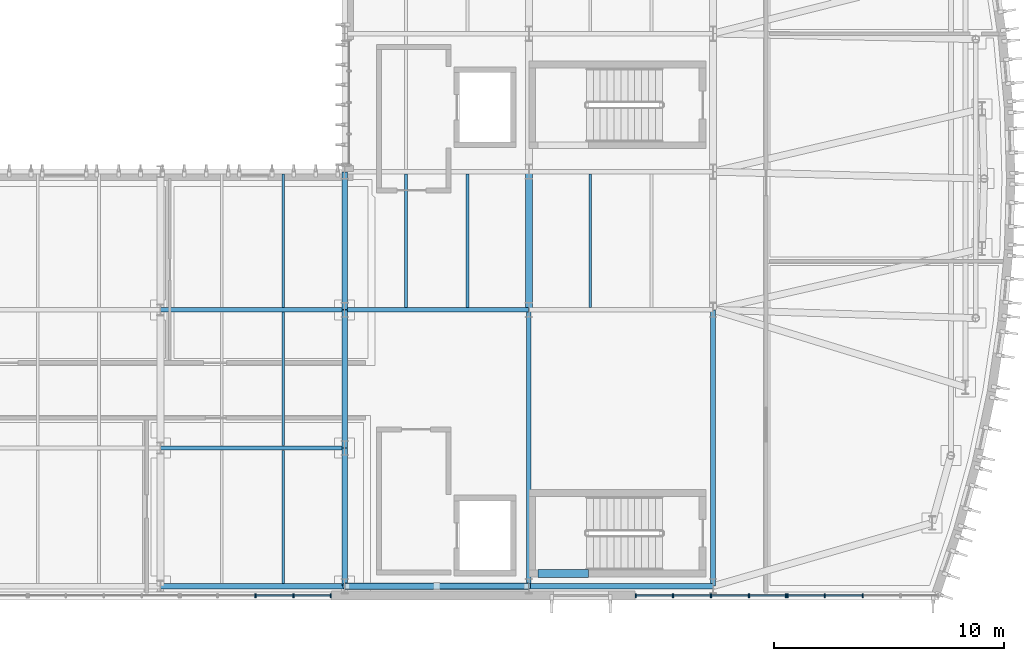
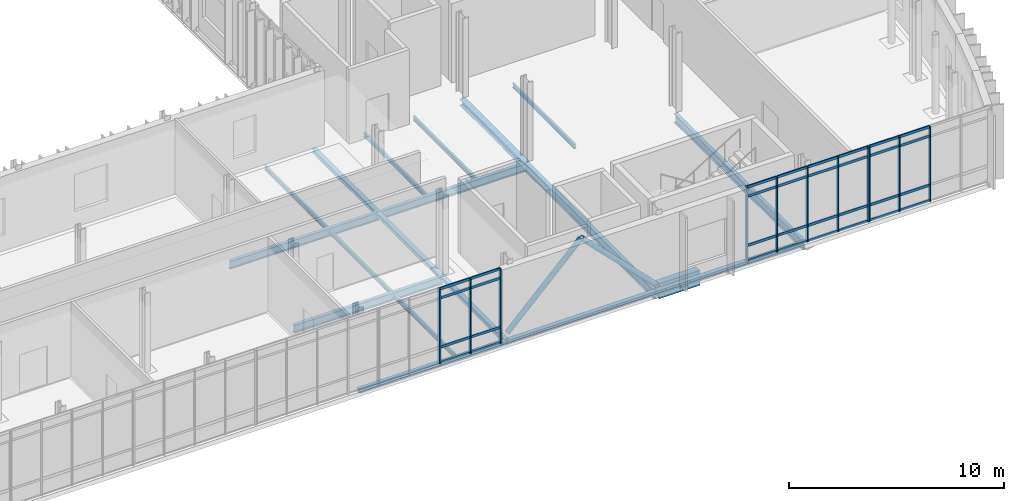
# One storey, part 41 of 100: 45 members, 19 beams, 3 elements without a shape of their own.
"""IFC4 building model written with IfcOpenShell, lengths in metres."""

from ifc_helpers import new_model, si_unit, direction, frame, origin, origin_2d, place, context, subcontext, project, spatial, rectangle, hollow_circle, i_section, extrude, material, material_profile, profile_set, type_object, element, aggregate, save


model = new_model("IFC4")

# Units and contexts
model_context = context("Model", 3, precision=1e-05, world=origin(), true_north=direction((0.0, 1.0)))
body_context = subcontext(model_context, "Body", "Model", "MODEL_VIEW")
ifc_project = project(units=[si_unit("LENGTHUNIT", "METRE"), si_unit("AREAUNIT", "SQUARE_METRE"), si_unit("VOLUMEUNIT", "CUBIC_METRE"), si_unit("PLANEANGLEUNIT", "RADIAN"), si_unit("MASSUNIT", "GRAM", prefix="KILO")], contexts=[model_context])

# Site, building, storey
site_placement = place(None, origin())
site = spatial("IfcSite", under=ifc_project, at=site_placement, CompositionType="ELEMENT")
building_placement = place(site_placement, origin())
building = spatial("IfcBuilding", under=site, at=building_placement, Name="Cymarion Research Institute", CompositionType="ELEMENT")
storey_placement = place(building_placement, frame((0.0, 0.0, 4.800048828125)))
storey = spatial("IfcBuildingStorey", under=building, at=storey_placement, Name="L01", CompositionType="ELEMENT", Elevation=4.800048828125)

# Beam
ifc_material_1 = material(Name="Concrete C40/50", Category="concrete")
ifc_material_profile_1 = material_profile(ifc_material_1, rectangle(XDim=0.35009765625, YDim=0.85009765625, at=origin_2d()), Name="RC 350x850")
ifc_profile_set_1 = profile_set([ifc_material_profile_1], Name="Concrete C40/50")
beam_type_1 = type_object("IfcBeamType", Name="COUPLING LINTEL LN02 RC 350x850", PredefinedType="LINTEL", material=ifc_profile_set_1)
beam_1_placement = place(storey_placement, frame((147.0, 6.050048828125, -0.695068359375), z_axis=(1.0, 0.0, 0.0), x_axis=(0.0, 1.0, 0.0)))
element("IfcBeam", 1, at=beam_1_placement, inside=storey, type_object=beam_type_1, Name="L01 C1 core coupling lintel LN02", PredefinedType="LINTEL", context=body_context, shape_type="SweptSolid", body=[
    extrude(rectangle(XDim=0.35009765625, YDim=0.85009765625, at=origin_2d()), origin(), (0.0, 0.0, 1.0), 2.199951171875),
])

# Curtain wall, members
ifc_material_2 = material(Name="Anodised aluminium unitised curtain wall with Low-E glazing", Category="aluminium")
curtain_wall_type = type_object("IfcCurtainWallType", Name="UNITISED CURTAIN WALL CW01 6590X4250", PredefinedType="NOTDEFINED", material=ifc_material_2)
curtain_wall_1_placement = place(storey_placement, origin())
curtain_wall_1 = element("IfcCurtainWall", 2, at=curtain_wall_1_placement, inside=storey, type_object=curtain_wall_type, Name="L01 V1 unitised curtain wall CW01 #5", PredefinedType="NOTDEFINED")
ifc_material_3 = material(Name="Anodised aluminium framing", Category="aluminium")
ifc_material_profile_2 = material_profile(ifc_material_3, rectangle(XDim=0.06005859375, YDim=0.179931640625, at=origin_2d()), Name="ALU MULLION 60x180")
ifc_profile_set_2 = profile_set([ifc_material_profile_2], Name="Anodised aluminium framing")
member_type_1 = type_object("IfcMemberType", Name="CURTAIN WALL MULLION ML01 60X180", PredefinedType="MULLION", material=ifc_profile_set_2)
member_1_placement = place(storey_placement, frame((134.73095703125, 5.090087890625, 0.0), z_axis=(0.0, 0.0, 1.0), x_axis=(1.0, 0.0, 0.0)))
member_1 = element("IfcMember", 3, at=member_1_placement, type_object=member_type_1, Name="CW01 mullion 3", PredefinedType="MULLION", context=body_context, shape_type="SweptSolid", body=[
    extrude(rectangle(XDim=0.06005859375, YDim=0.179931640625, at=origin_2d()), origin(), (0.0, 0.0, 1.0), 4.25),
])
member_2_placement = place(storey_placement, frame((136.37939453125, 5.090087890625, 0.0), z_axis=(0.0, 0.0, 1.0), x_axis=(1.0, 0.0, 0.0)))
member_2 = element("IfcMember", 4, at=member_2_placement, type_object=member_type_1, Name="CW01 mullion 4", PredefinedType="MULLION", context=body_context, shape_type="SweptSolid", body=[
    extrude(rectangle(XDim=0.06005859375, YDim=0.179931640625, at=origin_2d()), origin(), (0.0, 0.0, 1.0), 4.25),
])
member_3_placement = place(storey_placement, frame((137.99755859375, 5.090087890625, 0.0), z_axis=(0.0, 0.0, 1.0), x_axis=(1.0, 0.0, 0.0)))
member_3 = element("IfcMember", 5, at=member_3_placement, type_object=member_type_1, Name="CW01 mullion 5", PredefinedType="MULLION", context=body_context, shape_type="SweptSolid", body=[
    extrude(rectangle(XDim=0.06005859375, YDim=0.179931640625, at=origin_2d()), origin(), (0.0, 0.0, 1.0), 4.25),
])

curtain_wall_2_placement = place(storey_placement, origin())
curtain_wall_2 = element("IfcCurtainWall", 6, at=curtain_wall_2_placement, inside=storey, type_object=curtain_wall_type, Name="L01 V1 unitised curtain wall CW01 #6", PredefinedType="NOTDEFINED")
member_4_placement = place(storey_placement, frame((151.243896484375, 5.090087890625, 0.0), z_axis=(0.0, 0.0, 1.0), x_axis=(1.0, 0.0, 0.0)))
member_4 = element("IfcMember", 7, at=member_4_placement, type_object=member_type_1, Name="CW01 mullion 1", PredefinedType="MULLION", context=body_context, shape_type="SweptSolid", body=[
    extrude(rectangle(XDim=0.06005859375, YDim=0.179931640625, at=origin_2d()), origin(), (0.0, 0.0, 1.0), 4.25),
])
member_5_placement = place(storey_placement, frame((152.862060546875, 5.090087890625, 0.0), z_axis=(0.0, 0.0, 1.0), x_axis=(1.0, 0.0, 0.0)))
member_5 = element("IfcMember", 8, at=member_5_placement, type_object=member_type_1, Name="CW01 mullion 2", PredefinedType="MULLION", context=body_context, shape_type="SweptSolid", body=[
    extrude(rectangle(XDim=0.06005859375, YDim=0.179931640625, at=origin_2d()), origin(), (0.0, 0.0, 1.0), 4.25),
])
member_6_placement = place(storey_placement, frame((154.51025390625, 5.090087890625, 0.0), z_axis=(0.0, 0.0, 1.0), x_axis=(1.0, 0.0, 0.0)))
member_6 = element("IfcMember", 9, at=member_6_placement, type_object=member_type_1, Name="CW01 mullion 3", PredefinedType="MULLION", context=body_context, shape_type="SweptSolid", body=[
    extrude(rectangle(XDim=0.06005859375, YDim=0.179931640625, at=origin_2d()), origin(), (0.0, 0.0, 1.0), 4.25),
])
member_7_placement = place(storey_placement, frame((156.15869140625, 5.090087890625, 0.0), z_axis=(0.0, 0.0, 1.0), x_axis=(1.0, 0.0, 0.0)))
member_7 = element("IfcMember", 10, at=member_7_placement, type_object=member_type_1, Name="CW01 mullion 4", PredefinedType="MULLION", context=body_context, shape_type="SweptSolid", body=[
    extrude(rectangle(XDim=0.06005859375, YDim=0.179931640625, at=origin_2d()), origin(), (0.0, 0.0, 1.0), 4.25),
])
member_8_placement = place(storey_placement, frame((157.77685546875, 5.090087890625, 0.0), z_axis=(0.0, 0.0, 1.0), x_axis=(1.0, 0.0, 0.0)))
member_8 = element("IfcMember", 11, at=member_8_placement, type_object=member_type_1, Name="CW01 mullion 5", PredefinedType="MULLION", context=body_context, shape_type="SweptSolid", body=[
    extrude(rectangle(XDim=0.06005859375, YDim=0.179931640625, at=origin_2d()), origin(), (0.0, 0.0, 1.0), 4.25),
])

curtain_wall_3_placement = place(storey_placement, origin())
curtain_wall_3 = element("IfcCurtainWall", 12, at=curtain_wall_3_placement, inside=storey, type_object=curtain_wall_type, Name="L01 V1 unitised curtain wall CW01 #7", PredefinedType="NOTDEFINED")
member_9_placement = place(storey_placement, frame((157.8369140625, 5.090087890625, 0.0), z_axis=(0.0, 0.0, 1.0), x_axis=(1.0, 0.0, 0.0)))
member_9 = element("IfcMember", 13, at=member_9_placement, type_object=member_type_1, Name="CW01 mullion 1", PredefinedType="MULLION", context=body_context, shape_type="SweptSolid", body=[
    extrude(rectangle(XDim=0.06005859375, YDim=0.179931640625, at=origin_2d()), origin(), (0.0, 0.0, 1.0), 4.25),
])
member_10_placement = place(storey_placement, frame((159.455078125, 5.090087890625, 0.0), z_axis=(0.0, 0.0, 1.0), x_axis=(1.0, 0.0, 0.0)))
member_10 = element("IfcMember", 14, at=member_10_placement, type_object=member_type_1, Name="CW01 mullion 2", PredefinedType="MULLION", context=body_context, shape_type="SweptSolid", body=[
    extrude(rectangle(XDim=0.06005859375, YDim=0.179931640625, at=origin_2d()), origin(), (0.0, 0.0, 1.0), 4.25),
])
member_11_placement = place(storey_placement, frame((161.103515625, 5.090087890625, 0.0), z_axis=(0.0, 0.0, 1.0), x_axis=(1.0, 0.0, 0.0)))
member_11 = element("IfcMember", 15, at=member_11_placement, type_object=member_type_1, Name="CW01 mullion 3", PredefinedType="MULLION", context=body_context, shape_type="SweptSolid", body=[
    extrude(rectangle(XDim=0.06005859375, YDim=0.179931640625, at=origin_2d()), origin(), (0.0, 0.0, 1.0), 4.25),
])

# Member
ifc_material_profile_3 = material_profile(ifc_material_3, rectangle(XDim=0.06005859375, YDim=0.14990234375, at=origin_2d()), Name="ALU TRANSOM 60x150")
ifc_profile_set_3 = profile_set([ifc_material_profile_3], Name="Anodised aluminium framing")
member_type_2 = type_object("IfcMemberType", Name="CURTAIN WALL TRANSOM TR01 60X150", PredefinedType="USERDEFINED", material=ifc_profile_set_3)
member_12_placement = place(storey_placement, frame((134.760986328125, 5.090087890625, 0.030029296875), z_axis=(1.0, 0.0, 0.0), x_axis=(0.0, 1.0, 0.0)))
member_12 = element("IfcMember", 16, at=member_12_placement, type_object=member_type_2, Name="CW01 transom 3.1", ObjectType="TRANSOM", PredefinedType="USERDEFINED", context=body_context, shape_type="SweptSolid", body=[
    extrude(rectangle(XDim=0.06005859375, YDim=0.14990234375, at=origin_2d()), origin(), (0.0, 0.0, 1.0), 1.58837890625),
])

member_13_placement = place(storey_placement, frame((134.760986328125, 5.090087890625, 0.89990234375), z_axis=(1.0, 0.0, 0.0), x_axis=(0.0, 1.0, 0.0)))
member_13 = element("IfcMember", 17, at=member_13_placement, type_object=member_type_2, Name="CW01 transom 3.2", ObjectType="TRANSOM", PredefinedType="USERDEFINED", context=body_context, shape_type="SweptSolid", body=[
    extrude(rectangle(XDim=0.06005859375, YDim=0.14990234375, at=origin_2d()), origin(), (0.0, 0.0, 1.0), 1.58837890625),
])

member_14_placement = place(storey_placement, frame((134.760986328125, 5.090087890625, 3.699951171875), z_axis=(1.0, 0.0, 0.0), x_axis=(0.0, 1.0, 0.0)))
member_14 = element("IfcMember", 18, at=member_14_placement, type_object=member_type_2, Name="CW01 transom 3.3", ObjectType="TRANSOM", PredefinedType="USERDEFINED", context=body_context, shape_type="SweptSolid", body=[
    extrude(rectangle(XDim=0.06005859375, YDim=0.14990234375, at=origin_2d()), origin(), (0.0, 0.0, 1.0), 1.58837890625),
])

member_15_placement = place(storey_placement, frame((134.760986328125, 5.090087890625, 4.219970703125), z_axis=(1.0, 0.0, 0.0), x_axis=(0.0, 1.0, 0.0)))
member_15 = element("IfcMember", 19, at=member_15_placement, type_object=member_type_2, Name="CW01 transom 3.4", ObjectType="TRANSOM", PredefinedType="USERDEFINED", context=body_context, shape_type="SweptSolid", body=[
    extrude(rectangle(XDim=0.06005859375, YDim=0.14990234375, at=origin_2d()), origin(), (0.0, 0.0, 1.0), 1.58837890625),
])

member_16_placement = place(storey_placement, frame((136.4091796875, 5.090087890625, 0.030029296875), z_axis=(1.0, 0.0, 0.0), x_axis=(0.0, 1.0, 0.0)))
member_16 = element("IfcMember", 20, at=member_16_placement, type_object=member_type_2, Name="CW01 transom 4.1", ObjectType="TRANSOM", PredefinedType="USERDEFINED", context=body_context, shape_type="SweptSolid", body=[
    extrude(rectangle(XDim=0.06005859375, YDim=0.14990234375, at=origin_2d()), origin(), (0.0, 0.0, 1.0), 1.558349609375),
])

member_17_placement = place(storey_placement, frame((136.4091796875, 5.090087890625, 0.89990234375), z_axis=(1.0, 0.0, 0.0), x_axis=(0.0, 1.0, 0.0)))
member_17 = element("IfcMember", 21, at=member_17_placement, type_object=member_type_2, Name="CW01 transom 4.2", ObjectType="TRANSOM", PredefinedType="USERDEFINED", context=body_context, shape_type="SweptSolid", body=[
    extrude(rectangle(XDim=0.06005859375, YDim=0.14990234375, at=origin_2d()), origin(), (0.0, 0.0, 1.0), 1.558349609375),
])

member_18_placement = place(storey_placement, frame((136.4091796875, 5.090087890625, 3.699951171875), z_axis=(1.0, 0.0, 0.0), x_axis=(0.0, 1.0, 0.0)))
member_18 = element("IfcMember", 22, at=member_18_placement, type_object=member_type_2, Name="CW01 transom 4.3", ObjectType="TRANSOM", PredefinedType="USERDEFINED", context=body_context, shape_type="SweptSolid", body=[
    extrude(rectangle(XDim=0.06005859375, YDim=0.14990234375, at=origin_2d()), origin(), (0.0, 0.0, 1.0), 1.558349609375),
])

member_19_placement = place(storey_placement, frame((136.4091796875, 5.090087890625, 4.219970703125), z_axis=(1.0, 0.0, 0.0), x_axis=(0.0, 1.0, 0.0)))
member_19 = element("IfcMember", 23, at=member_19_placement, type_object=member_type_2, Name="CW01 transom 4.4", ObjectType="TRANSOM", PredefinedType="USERDEFINED", context=body_context, shape_type="SweptSolid", body=[
    extrude(rectangle(XDim=0.06005859375, YDim=0.14990234375, at=origin_2d()), origin(), (0.0, 0.0, 1.0), 1.558349609375),
])

aggregate(curtain_wall_1, [member_1, member_2, member_3, member_12, member_13, member_14, member_15, member_16, member_17, member_18, member_19])

member_20_placement = place(storey_placement, frame((151.273681640625, 5.090087890625, 0.030029296875), z_axis=(1.0, 0.0, 0.0), x_axis=(0.0, 1.0, 0.0)))
member_20 = element("IfcMember", 24, at=member_20_placement, type_object=member_type_2, Name="CW01 transom 1.1", ObjectType="TRANSOM", PredefinedType="USERDEFINED", context=body_context, shape_type="SweptSolid", body=[
    extrude(rectangle(XDim=0.06005859375, YDim=0.14990234375, at=origin_2d()), origin(), (0.0, 0.0, 1.0), 1.558349609375),
])

member_21_placement = place(storey_placement, frame((151.273681640625, 5.090087890625, 0.89990234375), z_axis=(1.0, 0.0, 0.0), x_axis=(0.0, 1.0, 0.0)))
member_21 = element("IfcMember", 25, at=member_21_placement, type_object=member_type_2, Name="CW01 transom 1.2", ObjectType="TRANSOM", PredefinedType="USERDEFINED", context=body_context, shape_type="SweptSolid", body=[
    extrude(rectangle(XDim=0.06005859375, YDim=0.14990234375, at=origin_2d()), origin(), (0.0, 0.0, 1.0), 1.558349609375),
])

member_22_placement = place(storey_placement, frame((151.273681640625, 5.090087890625, 3.699951171875), z_axis=(1.0, 0.0, 0.0), x_axis=(0.0, 1.0, 0.0)))
member_22 = element("IfcMember", 26, at=member_22_placement, type_object=member_type_2, Name="CW01 transom 1.3", ObjectType="TRANSOM", PredefinedType="USERDEFINED", context=body_context, shape_type="SweptSolid", body=[
    extrude(rectangle(XDim=0.06005859375, YDim=0.14990234375, at=origin_2d()), origin(), (0.0, 0.0, 1.0), 1.558349609375),
])

member_23_placement = place(storey_placement, frame((151.273681640625, 5.090087890625, 4.219970703125), z_axis=(1.0, 0.0, 0.0), x_axis=(0.0, 1.0, 0.0)))
member_23 = element("IfcMember", 27, at=member_23_placement, type_object=member_type_2, Name="CW01 transom 1.4", ObjectType="TRANSOM", PredefinedType="USERDEFINED", context=body_context, shape_type="SweptSolid", body=[
    extrude(rectangle(XDim=0.06005859375, YDim=0.14990234375, at=origin_2d()), origin(), (0.0, 0.0, 1.0), 1.558349609375),
])

member_24_placement = place(storey_placement, frame((152.89208984375, 5.090087890625, 0.030029296875), z_axis=(1.0, 0.0, 0.0), x_axis=(0.0, 1.0, 0.0)))
member_24 = element("IfcMember", 28, at=member_24_placement, type_object=member_type_2, Name="CW01 transom 2.1", ObjectType="TRANSOM", PredefinedType="USERDEFINED", context=body_context, shape_type="SweptSolid", body=[
    extrude(rectangle(XDim=0.06005859375, YDim=0.14990234375, at=origin_2d()), origin(), (0.0, 0.0, 1.0), 1.58837890625),
])

member_25_placement = place(storey_placement, frame((152.89208984375, 5.090087890625, 0.89990234375), z_axis=(1.0, 0.0, 0.0), x_axis=(0.0, 1.0, 0.0)))
member_25 = element("IfcMember", 29, at=member_25_placement, type_object=member_type_2, Name="CW01 transom 2.2", ObjectType="TRANSOM", PredefinedType="USERDEFINED", context=body_context, shape_type="SweptSolid", body=[
    extrude(rectangle(XDim=0.06005859375, YDim=0.14990234375, at=origin_2d()), origin(), (0.0, 0.0, 1.0), 1.58837890625),
])

member_26_placement = place(storey_placement, frame((152.89208984375, 5.090087890625, 3.699951171875), z_axis=(1.0, 0.0, 0.0), x_axis=(0.0, 1.0, 0.0)))
member_26 = element("IfcMember", 30, at=member_26_placement, type_object=member_type_2, Name="CW01 transom 2.3", ObjectType="TRANSOM", PredefinedType="USERDEFINED", context=body_context, shape_type="SweptSolid", body=[
    extrude(rectangle(XDim=0.06005859375, YDim=0.14990234375, at=origin_2d()), origin(), (0.0, 0.0, 1.0), 1.58837890625),
])

member_27_placement = place(storey_placement, frame((152.89208984375, 5.090087890625, 4.219970703125), z_axis=(1.0, 0.0, 0.0), x_axis=(0.0, 1.0, 0.0)))
member_27 = element("IfcMember", 31, at=member_27_placement, type_object=member_type_2, Name="CW01 transom 2.4", ObjectType="TRANSOM", PredefinedType="USERDEFINED", context=body_context, shape_type="SweptSolid", body=[
    extrude(rectangle(XDim=0.06005859375, YDim=0.14990234375, at=origin_2d()), origin(), (0.0, 0.0, 1.0), 1.58837890625),
])

member_28_placement = place(storey_placement, frame((154.540283203125, 5.090087890625, 0.030029296875), z_axis=(1.0, 0.0, 0.0), x_axis=(0.0, 1.0, 0.0)))
member_28 = element("IfcMember", 32, at=member_28_placement, type_object=member_type_2, Name="CW01 transom 3.1", ObjectType="TRANSOM", PredefinedType="USERDEFINED", context=body_context, shape_type="SweptSolid", body=[
    extrude(rectangle(XDim=0.06005859375, YDim=0.14990234375, at=origin_2d()), origin(), (0.0, 0.0, 1.0), 1.58837890625),
])

member_29_placement = place(storey_placement, frame((154.540283203125, 5.090087890625, 0.89990234375), z_axis=(1.0, 0.0, 0.0), x_axis=(0.0, 1.0, 0.0)))
member_29 = element("IfcMember", 33, at=member_29_placement, type_object=member_type_2, Name="CW01 transom 3.2", ObjectType="TRANSOM", PredefinedType="USERDEFINED", context=body_context, shape_type="SweptSolid", body=[
    extrude(rectangle(XDim=0.06005859375, YDim=0.14990234375, at=origin_2d()), origin(), (0.0, 0.0, 1.0), 1.58837890625),
])

member_30_placement = place(storey_placement, frame((154.540283203125, 5.090087890625, 3.699951171875), z_axis=(1.0, 0.0, 0.0), x_axis=(0.0, 1.0, 0.0)))
member_30 = element("IfcMember", 34, at=member_30_placement, type_object=member_type_2, Name="CW01 transom 3.3", ObjectType="TRANSOM", PredefinedType="USERDEFINED", context=body_context, shape_type="SweptSolid", body=[
    extrude(rectangle(XDim=0.06005859375, YDim=0.14990234375, at=origin_2d()), origin(), (0.0, 0.0, 1.0), 1.58837890625),
])

member_31_placement = place(storey_placement, frame((154.540283203125, 5.090087890625, 4.219970703125), z_axis=(1.0, 0.0, 0.0), x_axis=(0.0, 1.0, 0.0)))
member_31 = element("IfcMember", 35, at=member_31_placement, type_object=member_type_2, Name="CW01 transom 3.4", ObjectType="TRANSOM", PredefinedType="USERDEFINED", context=body_context, shape_type="SweptSolid", body=[
    extrude(rectangle(XDim=0.06005859375, YDim=0.14990234375, at=origin_2d()), origin(), (0.0, 0.0, 1.0), 1.58837890625),
])

member_32_placement = place(storey_placement, frame((156.188720703125, 5.090087890625, 0.030029296875), z_axis=(1.0, 0.0, 0.0), x_axis=(0.0, 1.0, 0.0)))
member_32 = element("IfcMember", 36, at=member_32_placement, type_object=member_type_2, Name="CW01 transom 4.1", ObjectType="TRANSOM", PredefinedType="USERDEFINED", context=body_context, shape_type="SweptSolid", body=[
    extrude(rectangle(XDim=0.06005859375, YDim=0.14990234375, at=origin_2d()), origin(), (0.0, 0.0, 1.0), 1.55810546875),
])

member_33_placement = place(storey_placement, frame((156.188720703125, 5.090087890625, 0.89990234375), z_axis=(1.0, 0.0, 0.0), x_axis=(0.0, 1.0, 0.0)))
member_33 = element("IfcMember", 37, at=member_33_placement, type_object=member_type_2, Name="CW01 transom 4.2", ObjectType="TRANSOM", PredefinedType="USERDEFINED", context=body_context, shape_type="SweptSolid", body=[
    extrude(rectangle(XDim=0.06005859375, YDim=0.14990234375, at=origin_2d()), origin(), (0.0, 0.0, 1.0), 1.55810546875),
])

member_34_placement = place(storey_placement, frame((156.188720703125, 5.090087890625, 3.699951171875), z_axis=(1.0, 0.0, 0.0), x_axis=(0.0, 1.0, 0.0)))
member_34 = element("IfcMember", 38, at=member_34_placement, type_object=member_type_2, Name="CW01 transom 4.3", ObjectType="TRANSOM", PredefinedType="USERDEFINED", context=body_context, shape_type="SweptSolid", body=[
    extrude(rectangle(XDim=0.06005859375, YDim=0.14990234375, at=origin_2d()), origin(), (0.0, 0.0, 1.0), 1.55810546875),
])

member_35_placement = place(storey_placement, frame((156.188720703125, 5.090087890625, 4.219970703125), z_axis=(1.0, 0.0, 0.0), x_axis=(0.0, 1.0, 0.0)))
member_35 = element("IfcMember", 39, at=member_35_placement, type_object=member_type_2, Name="CW01 transom 4.4", ObjectType="TRANSOM", PredefinedType="USERDEFINED", context=body_context, shape_type="SweptSolid", body=[
    extrude(rectangle(XDim=0.06005859375, YDim=0.14990234375, at=origin_2d()), origin(), (0.0, 0.0, 1.0), 1.55810546875),
])

aggregate(curtain_wall_2, [member_4, member_5, member_6, member_7, member_8, member_20, member_21, member_22, member_23, member_24, member_25, member_26, member_27, member_28, member_29, member_30, member_31, member_32, member_33, member_34, member_35])

member_36_placement = place(storey_placement, frame((157.866943359375, 5.090087890625, 0.030029296875), z_axis=(1.0, 0.0, 0.0), x_axis=(0.0, 1.0, 0.0)))
member_36 = element("IfcMember", 40, at=member_36_placement, type_object=member_type_2, Name="CW01 transom 1.1", ObjectType="TRANSOM", PredefinedType="USERDEFINED", context=body_context, shape_type="SweptSolid", body=[
    extrude(rectangle(XDim=0.06005859375, YDim=0.14990234375, at=origin_2d()), origin(), (0.0, 0.0, 1.0), 1.558349609375),
])

member_37_placement = place(storey_placement, frame((157.866943359375, 5.090087890625, 0.89990234375), z_axis=(1.0, 0.0, 0.0), x_axis=(0.0, 1.0, 0.0)))
member_37 = element("IfcMember", 41, at=member_37_placement, type_object=member_type_2, Name="CW01 transom 1.2", ObjectType="TRANSOM", PredefinedType="USERDEFINED", context=body_context, shape_type="SweptSolid", body=[
    extrude(rectangle(XDim=0.06005859375, YDim=0.14990234375, at=origin_2d()), origin(), (0.0, 0.0, 1.0), 1.558349609375),
])

member_38_placement = place(storey_placement, frame((157.866943359375, 5.090087890625, 3.699951171875), z_axis=(1.0, 0.0, 0.0), x_axis=(0.0, 1.0, 0.0)))
member_38 = element("IfcMember", 42, at=member_38_placement, type_object=member_type_2, Name="CW01 transom 1.3", ObjectType="TRANSOM", PredefinedType="USERDEFINED", context=body_context, shape_type="SweptSolid", body=[
    extrude(rectangle(XDim=0.06005859375, YDim=0.14990234375, at=origin_2d()), origin(), (0.0, 0.0, 1.0), 1.558349609375),
])

member_39_placement = place(storey_placement, frame((157.866943359375, 5.090087890625, 4.219970703125), z_axis=(1.0, 0.0, 0.0), x_axis=(0.0, 1.0, 0.0)))
member_39 = element("IfcMember", 43, at=member_39_placement, type_object=member_type_2, Name="CW01 transom 1.4", ObjectType="TRANSOM", PredefinedType="USERDEFINED", context=body_context, shape_type="SweptSolid", body=[
    extrude(rectangle(XDim=0.06005859375, YDim=0.14990234375, at=origin_2d()), origin(), (0.0, 0.0, 1.0), 1.558349609375),
])

member_40_placement = place(storey_placement, frame((159.485107421875, 5.090087890625, 0.030029296875), z_axis=(1.0, 0.0, 0.0), x_axis=(0.0, 1.0, 0.0)))
member_40 = element("IfcMember", 44, at=member_40_placement, type_object=member_type_2, Name="CW01 transom 2.1", ObjectType="TRANSOM", PredefinedType="USERDEFINED", context=body_context, shape_type="SweptSolid", body=[
    extrude(rectangle(XDim=0.06005859375, YDim=0.14990234375, at=origin_2d()), origin(), (0.0, 0.0, 1.0), 1.58837890625),
])

member_41_placement = place(storey_placement, frame((159.485107421875, 5.090087890625, 0.89990234375), z_axis=(1.0, 0.0, 0.0), x_axis=(0.0, 1.0, 0.0)))
member_41 = element("IfcMember", 45, at=member_41_placement, type_object=member_type_2, Name="CW01 transom 2.2", ObjectType="TRANSOM", PredefinedType="USERDEFINED", context=body_context, shape_type="SweptSolid", body=[
    extrude(rectangle(XDim=0.06005859375, YDim=0.14990234375, at=origin_2d()), origin(), (0.0, 0.0, 1.0), 1.58837890625),
])

member_42_placement = place(storey_placement, frame((159.485107421875, 5.090087890625, 3.699951171875), z_axis=(1.0, 0.0, 0.0), x_axis=(0.0, 1.0, 0.0)))
member_42 = element("IfcMember", 46, at=member_42_placement, type_object=member_type_2, Name="CW01 transom 2.3", ObjectType="TRANSOM", PredefinedType="USERDEFINED", context=body_context, shape_type="SweptSolid", body=[
    extrude(rectangle(XDim=0.06005859375, YDim=0.14990234375, at=origin_2d()), origin(), (0.0, 0.0, 1.0), 1.58837890625),
])

member_43_placement = place(storey_placement, frame((159.485107421875, 5.090087890625, 4.219970703125), z_axis=(1.0, 0.0, 0.0), x_axis=(0.0, 1.0, 0.0)))
member_43 = element("IfcMember", 47, at=member_43_placement, type_object=member_type_2, Name="CW01 transom 2.4", ObjectType="TRANSOM", PredefinedType="USERDEFINED", context=body_context, shape_type="SweptSolid", body=[
    extrude(rectangle(XDim=0.06005859375, YDim=0.14990234375, at=origin_2d()), origin(), (0.0, 0.0, 1.0), 1.58837890625),
])

aggregate(curtain_wall_3, [member_9, member_10, member_11, member_36, member_37, member_38, member_39, member_40, member_41, member_42, member_43])

# Beams
ifc_material_4 = material(Name="Steel S355", Category="steel")
ifc_material_profile_4 = material_profile(ifc_material_4, i_section(OverallWidth=0.199951171875, OverallDepth=0.5, WebThickness=0.01025390625, FlangeThickness=0.01611328125, FilletRadius=0.02099609375, at=origin_2d()), Name="IPE 500")
ifc_profile_set_4 = profile_set([ifc_material_profile_4], Name="Steel S355")
beam_type_2 = type_object("IfcBeamType", Name="PRIMARY GIRDER BM03 IPE 500", PredefinedType="BEAM", material=ifc_profile_set_4)
for number, where, z_axis, x_axis, name in (
    (48, (146.60009765625, 5.506103515625, -0.5), (0.0, 1.0, 0.0), (-1.0, 0.0, 0.0), "L01 V1 girder BM03 #394"),
    (49, (154.60009765625, 5.506103515625, -0.5), (0.0, 1.0, 0.0), (-1.0, 0.0, 0.0), "L01 V1 girder BM03 #399"),
):
    element("IfcBeam", number, at=place(storey_placement, frame(where, z_axis=z_axis, x_axis=x_axis)), inside=storey, type_object=beam_type_2, Name=name, PredefinedType="BEAM", context=body_context, shape_type="SweptSolid", body=[
        extrude(i_section(OverallWidth=0.199951171875, OverallDepth=0.5, WebThickness=0.01025390625, FlangeThickness=0.01611328125, FilletRadius=0.02099609375, at=origin_2d()), origin(), (0.0, 0.0, 1.0), 11.98779296875),
    ])
ifc_material_profile_5 = material_profile(ifc_material_4, i_section(OverallWidth=0.18994140625, OverallDepth=0.449951171875, WebThickness=0.009521484375, FlangeThickness=0.0146484375, FilletRadius=0.02099609375, at=origin_2d()), Name="IPE 450")
ifc_profile_set_5 = profile_set([ifc_material_profile_5], Name="Steel S355")
beam_type_3 = type_object("IfcBeamType", Name="PRIMARY GIRDER BM04 IPE 450", PredefinedType="BEAM", material=ifc_profile_set_5)
for number, where, z_axis, x_axis, name in (
    (50, (130.60595703125, 11.5, -0.47509765625), (1.0, 0.0, 0.0), (0.0, 1.0, 0.0), "L01 V1 girder BM04 #357"),
    (51, (130.60595703125, 17.5, -0.47509765625), (1.0, 0.0, 0.0), (0.0, 1.0, 0.0), "L01 V1 girder BM04 #361"),
    (52, (138.60595703125, 17.5, -0.47509765625), (1.0, 0.0, 0.0), (0.0, 1.0, 0.0), "L01 V1 girder BM04 #362"),
):
    element("IfcBeam", number, at=place(storey_placement, frame(where, z_axis=z_axis, x_axis=x_axis)), inside=storey, type_object=beam_type_3, Name=name, PredefinedType="BEAM", context=body_context, shape_type="SweptSolid", body=[
        extrude(i_section(OverallWidth=0.18994140625, OverallDepth=0.449951171875, WebThickness=0.009521484375, FlangeThickness=0.0146484375, FilletRadius=0.02099609375, at=origin_2d()), origin(), (0.0, 0.0, 1.0), 7.988037109375),
    ])
ifc_material_profile_6 = material_profile(ifc_material_4, i_section(OverallWidth=0.300048828125, OverallDepth=0.35009765625, WebThickness=0.010009765625, FlangeThickness=0.017578125, FilletRadius=0.027099609375, at=origin_2d()), Name="HEA 360")
ifc_profile_set_6 = profile_set([ifc_material_profile_6], Name="Steel S355")
beam_type_4 = type_object("IfcBeamType", Name="PRIMARY GIRDER BM12 HEA 360", PredefinedType="BEAM", material=ifc_profile_set_6)
beam_2_placement = place(storey_placement, frame((146.60009765625, 17.506103515625, -0.425048828125), z_axis=(0.0, 1.0, 0.0), x_axis=(-1.0, 0.0, 0.0)))
element("IfcBeam", 53, at=beam_2_placement, inside=storey, type_object=beam_type_4, Name="L01 V1 girder BM12 #395", PredefinedType="BEAM", context=body_context, shape_type="SweptSolid", body=[
    extrude(i_section(OverallWidth=0.300048828125, OverallDepth=0.35009765625, WebThickness=0.010009765625, FlangeThickness=0.017578125, FilletRadius=0.027099609375, at=origin_2d()), origin(), (0.0, 0.0, 1.0), 5.98779296875),
])
ifc_material_profile_7 = material_profile(ifc_material_4, i_section(OverallWidth=0.1201171875, OverallDepth=0.239990234375, WebThickness=0.006103515625, FlangeThickness=0.009765625, FilletRadius=0.014892578125, at=origin_2d()), Name="IPE 240")
ifc_profile_set_7 = profile_set([ifc_material_profile_7], Name="Steel S355")
beam_type_5 = type_object("IfcBeamType", Name="SECONDARY JOIST JS04 IPE 240", PredefinedType="JOIST", material=ifc_profile_set_7)
beam_3_placement = place(storey_placement, frame((135.933349609375, 5.6240234375, -0.3701171875), z_axis=(0.0, 1.0, 0.0), x_axis=(-1.0, 0.0, 0.0)))
element("IfcBeam", 54, at=beam_3_placement, inside=storey, type_object=beam_type_5, Name="L01 V1 secondary joist JS04 #428", PredefinedType="JOIST", context=body_context, shape_type="SweptSolid", body=[
    extrude(i_section(OverallWidth=0.1201171875, OverallDepth=0.239990234375, WebThickness=0.006103515625, FlangeThickness=0.009765625, FilletRadius=0.014892578125, at=origin_2d()), origin(), (0.0, 0.0, 1.0), 5.77685546875),
])
for number, where, z_axis, x_axis, name in (
    (55, (135.933349609375, 11.59912109375, -0.3701171875), (0.0, 1.0, 0.0), (-1.0, 0.0, 0.0), "L01 V1 secondary joist JS04 #436"),
    (56, (135.933349609375, 17.59912109375, -0.3701171875), (0.0, 1.0, 0.0), (-1.0, 0.0, 0.0), "L01 V1 secondary joist JS04 #444"),
    (57, (141.2666015625, 17.59912109375, -0.3701171875), (0.0, 1.0, 0.0), (-1.0, 0.0, 0.0), "L01 V1 secondary joist JS04 #445"),
    (58, (143.933349609375, 17.59912109375, -0.3701171875), (0.0, 1.0, 0.0), (-1.0, 0.0, 0.0), "L01 V1 secondary joist JS04 #446"),
    (59, (149.2666015625, 17.59912109375, -0.3701171875), (0.0, 1.0, 0.0), (-1.0, 0.0, 0.0), "L01 V1 secondary joist JS04 #447"),
):
    element("IfcBeam", number, at=place(storey_placement, frame(where, z_axis=z_axis, x_axis=x_axis)), inside=storey, type_object=beam_type_5, Name=name, PredefinedType="JOIST", context=body_context, shape_type="SweptSolid", body=[
        extrude(i_section(OverallWidth=0.1201171875, OverallDepth=0.239990234375, WebThickness=0.006103515625, FlangeThickness=0.009765625, FilletRadius=0.014892578125, at=origin_2d()), origin(), (0.0, 0.0, 1.0), 5.8017578125),
    ])
ifc_material_profile_8 = material_profile(ifc_material_4, i_section(OverallWidth=0.239990234375, OverallDepth=0.22998046875, WebThickness=0.007568359375, FlangeThickness=0.011962890625, FilletRadius=0.02099609375, at=origin_2d()), Name="HEA 240")
ifc_profile_set_8 = profile_set([ifc_material_profile_8], Name="Steel S355")
beam_type_6 = type_object("IfcBeamType", Name="SPANDREL BEAM SPB03 HEA 240", PredefinedType="SPANDREL", material=ifc_profile_set_8)
for number, where, z_axis, x_axis, name in (
    (60, (130.60595703125, 5.5, -0.364990234375), (1.0, 0.0, 0.0), (0.0, 1.0, 0.0), "L01 V1 girder SPB03 #351"),
    (61, (138.60595703125, 5.5, -0.364990234375), (1.0, 0.0, 0.0), (0.0, 1.0, 0.0), "L01 V1 girder SPB03 #352"),
    (62, (146.60595703125, 5.5, -0.364990234375), (1.0, 0.0, 0.0), (0.0, 1.0, 0.0), "L01 V1 girder SPB03 #353"),
):
    element("IfcBeam", number, at=place(storey_placement, frame(where, z_axis=z_axis, x_axis=x_axis)), inside=storey, type_object=beam_type_6, Name=name, PredefinedType="SPANDREL", context=body_context, shape_type="SweptSolid", body=[
        extrude(i_section(OverallWidth=0.239990234375, OverallDepth=0.22998046875, WebThickness=0.007568359375, FlangeThickness=0.011962890625, FilletRadius=0.02099609375, at=origin_2d()), origin(), (0.0, 0.0, 1.0), 7.988037109375),
    ])
for number, where, z_axis, x_axis, name in (
    (63, (138.60009765625, 5.506103515625, -0.364990234375), (0.0, 1.0, 0.0), (-1.0, 0.0, 0.0), "L01 V1 girder SPB03 #388"),
    (64, (138.60009765625, 11.506103515625, -0.364990234375), (0.0, 1.0, 0.0), (-1.0, 0.0, 0.0), "L01 V1 girder SPB03 #389"),
    (65, (138.60009765625, 17.506103515625, -0.364990234375), (0.0, 1.0, 0.0), (-1.0, 0.0, 0.0), "L01 V1 girder SPB03 #390"),
):
    element("IfcBeam", number, at=place(storey_placement, frame(where, z_axis=z_axis, x_axis=x_axis)), inside=storey, type_object=beam_type_6, Name=name, PredefinedType="SPANDREL", context=body_context, shape_type="SweptSolid", body=[
        extrude(i_section(OverallWidth=0.239990234375, OverallDepth=0.22998046875, WebThickness=0.007568359375, FlangeThickness=0.011962890625, FilletRadius=0.02099609375, at=origin_2d()), origin(), (0.0, 0.0, 1.0), 5.98779296875),
    ])

# Members
ifc_material_profile_9 = material_profile(ifc_material_4, hollow_circle(Radius=0.136474609375, WallThickness=0.012451171875, at=origin_2d()), Name="CHS 273.0x12.5")
ifc_profile_set_9 = profile_set([ifc_material_profile_9], Name="Steel S355")
member_type_3 = type_object("IfcMemberType", Name="STRUCTURAL MEMBER BR04 CHS 273.0x12.5", PredefinedType="BRACE", material=ifc_profile_set_9)
member_44_placement = place(storey_placement, frame((138.6142578125, 5.5, 0.119873046875), z_axis=(0.70610954467, 0.0, 0.708102613275), x_axis=(0.0, 1.0, 0.0)))
element("IfcMember", 66, at=member_44_placement, inside=storey, type_object=member_type_3, Name="L01 V1 seismic chevron brace BR04 #1", PredefinedType="BRACE", context=body_context, shape_type="SweptSolid", body=[
    extrude(hollow_circle(Radius=0.136474609375, WallThickness=0.012451171875, at=origin_2d()), origin(), (0.0, 0.0, 1.0), 5.634765625),
])
member_45_placement = place(storey_placement, frame((146.585693359375, 5.5, 0.119873046875), z_axis=(-0.706087818821, 0.0, 0.708124277307), x_axis=(0.0, -1.0, 0.0)))
element("IfcMember", 67, at=member_45_placement, inside=storey, type_object=member_type_3, Name="L01 V1 seismic chevron brace BR04 #2", PredefinedType="BRACE", context=body_context, shape_type="SweptSolid", body=[
    extrude(hollow_circle(Radius=0.136474609375, WallThickness=0.012451171875, at=origin_2d()), origin(), (0.0, 0.0, 1.0), 5.634521484375),
])

save(model, "model.ifc")
